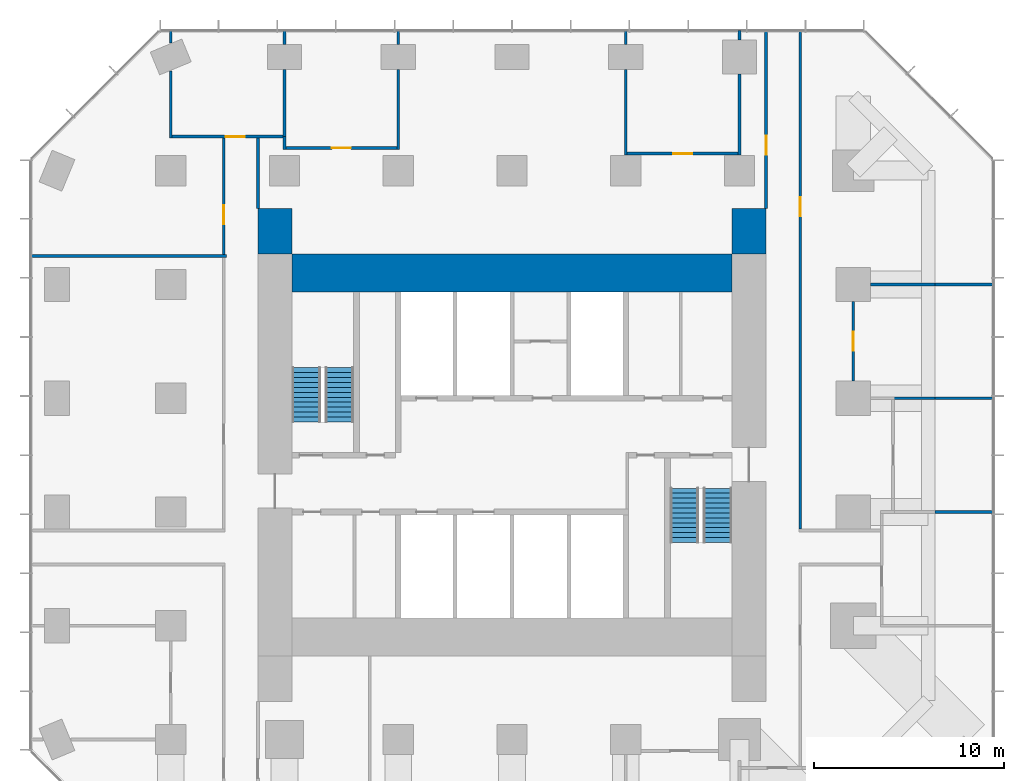
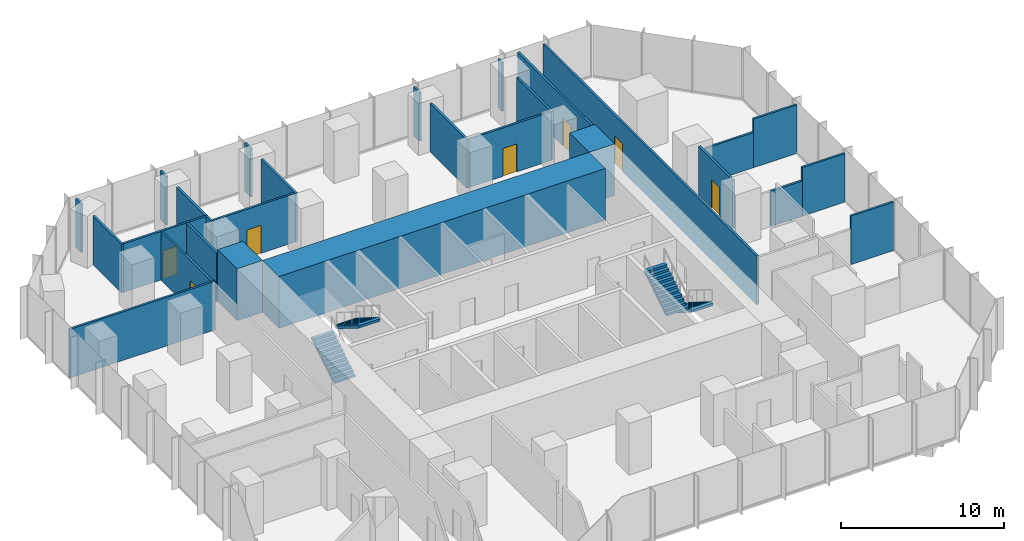
# One storey, part 10 of 11: 28 walls, 7 doors, 4 stair flights, 7 openings, 2 elements without a shape of their own.
"""IFC4 building model written with IfcOpenShell, lengths in metres."""

from ifc_helpers import new_model, si_unit, direction, frame, frame_2d, origin, place, context, subcontext, project, spatial, polyline, rectangle, outline, extrude, material, layer, layer_set, type_object, element, fill, aggregate, save


model = new_model("IFC4")

# Units and contexts
model_context = context("Model", 3, precision=1e-05, world=origin(), true_north=direction((0.0, 1.0)))
body_context = subcontext(model_context, "Body", "Model", "MODEL_VIEW")
ifc_project = project(units=[si_unit("LENGTHUNIT", "METRE"), si_unit("AREAUNIT", "SQUARE_METRE"), si_unit("VOLUMEUNIT", "CUBIC_METRE"), si_unit("PLANEANGLEUNIT", "RADIAN"), si_unit("MASSUNIT", "GRAM", prefix="KILO")], contexts=[model_context])

# Site, building, storey
site_placement = place(None, origin())
site = spatial("IfcSite", under=ifc_project, at=site_placement, CompositionType="ELEMENT")
building_placement = place(site_placement, origin())
building = spatial("IfcBuilding", under=site, at=building_placement, Name="Highveld Stack Headquarters", CompositionType="ELEMENT")
storey_placement = place(building_placement, frame((0.0, 0.0, 152.300048828125)))
storey = spatial("IfcBuildingStorey", under=building, at=storey_placement, Name="L37", CompositionType="ELEMENT", Elevation=152.300048828125)

# Walls
ifc_material_1 = material(Name="Concrete C60/75", Category="concrete")
ifc_layer_1 = layer(ifc_material_1, 2.0)
ifc_layer_set_1 = layer_set([ifc_layer_1], Name="Concrete C60/75")
wall_type_1 = type_object("IfcWallType", Name="CORE WALL 2000 C60/75", PredefinedType="SHEAR", material=ifc_layer_set_1)
wall_1_placement = place(storey_placement, frame((-5.60009765625, 12.60009765625, 0.0), z_axis=(0.0, 0.0, 1.0), x_axis=(1.0, 0.0, 0.0)))
element("IfcWall", 1, at=wall_1_placement, inside=storey, type_object=wall_type_1, Name="Core wall N L37", PredefinedType="SHEAR", context=body_context, shape_type="SweptSolid", body=[
    extrude(rectangle(XDim=23.2001953125, YDim=2.0, at=frame_2d((11.60009765625, 0.0))), origin(), (0.0, 0.0, 1.0), 3.89990234375),
])
ifc_material_2 = material(Name="Concrete C60/75", Category="concrete")
ifc_layer_2 = layer(ifc_material_2, 1.800048828125)
ifc_layer_set_2 = layer_set([ifc_layer_2], Name="Concrete C60/75")
wall_type_2 = type_object("IfcWallType", Name="CORE WING WALL 1800 C60/75", PredefinedType="SHEAR", material=ifc_layer_set_2)
for number, where, z_axis, x_axis, name in (
    (2, (-6.5, 13.60009765625, 0.0), (0.0, 0.0, 1.0), (0.0, 1.0, 0.0), "Core wing wall WN L37"),
    (3, (18.5, 13.60009765625, 0.0), (0.0, 0.0, 1.0), (0.0, 1.0, 0.0), "Core wing wall EN L37"),
):
    element("IfcWall", number, at=place(storey_placement, frame(where, z_axis=z_axis, x_axis=x_axis)), inside=storey, type_object=wall_type_2, Name=name, PredefinedType="SHEAR", context=body_context, shape_type="SweptSolid", body=[
        extrude(rectangle(XDim=2.39990234375, YDim=1.800048828125, at=frame_2d((1.199951171875, 0.0))), origin(), (0.0, 0.0, 1.0), 3.89990234375),
    ])

# Wall, opening, door
ifc_material_3 = material(Name="Laminated glass in aluminium frame", Category="aluminium")
ifc_layer_3 = layer(ifc_material_3, 0.14990234375)
ifc_layer_set_3 = layer_set([ifc_layer_3], Name="Laminated glass in aluminium frame")
wall_type_3 = type_object("IfcWallType", Name="GLAZED PARTITION 150", PredefinedType="PARTITIONING", material=ifc_layer_set_3)
wall_2_placement = place(storey_placement, frame((24.0, 6.89990234375, 0.0), z_axis=(0.0, 0.0, 1.0), x_axis=(0.0, 1.0, 0.0)))
wall_2 = element("IfcWall", 4, at=wall_2_placement, inside=storey, type_object=wall_type_3, Name="Glazed partition Meeting room L37", PredefinedType="PARTITIONING", context=body_context, shape_type="SweptSolid", body=[
    extrude(rectangle(XDim=4.2001953125, YDim=0.14990234375, at=frame_2d((2.10009765625, 0.0))), origin(), (0.0, 0.0, 1.0), 3.64990234375),
])
opening_1_placement = place(wall_2_placement, frame((1.60009765625, 0.0, 0.0)))
opening_1 = element("IfcOpeningElement", 5, at=opening_1_placement, cuts=wall_2, Name="Opening L37-18", PredefinedType="OPENING", context=body_context, shape_type="SweptSolid", body=[
    extrude(rectangle(XDim=1.0, YDim=2.10009765625, at=frame_2d((0.5, 1.050048828125))), frame((0.0, 0.0849609375, 0.0), z_axis=(0.0, -1.0, 0.0), x_axis=(1.0, 0.0, 0.0)), (0.0, 0.0, 1.0), 0.169921875),
])
ifc_material_4 = material(Name="Timber door, oiled ash", Category="wood")
door_type = type_object("IfcDoorType", Name="ROOM DOOR D6 1000x2100", OperationType="SINGLE_SWING_LEFT", PredefinedType="DOOR", material=ifc_material_4)
door_1_placement = place(opening_1_placement, origin())
door_1 = element("IfcDoor", 6, at=door_1_placement, inside=storey, type_object=door_type, Name="Meeting room door 1 L37", OperationType="SINGLE_SWING_LEFT", OverallHeight=2.10009765625, OverallWidth=1.0, PredefinedType="DOOR", context=body_context, shape_type="SweptSolid", body=[
    extrude(rectangle(XDim=1.0, YDim=2.10009765625, at=frame_2d((0.5, 1.050048828125))), frame((0.0, 0.02490234375, 0.0), z_axis=(0.0, -1.0, 0.0), x_axis=(1.0, 0.0, 0.0)), (0.0, 0.0, 1.0), 0.050048828125),
])
fill(opening_1, door_1)

# Walls
ifc_material_5 = material(Name="Gypsum plasterboard on steel studs", Category="steel")
ifc_layer_4 = layer(ifc_material_5, 0.14990234375)
ifc_layer_set_4 = layer_set([ifc_layer_4], Name="Gypsum plasterboard on steel studs")
wall_type_4 = type_object("IfcWallType", Name="PARTITION 150 PLASTERBOARD", PredefinedType="PARTITIONING", material=ifc_layer_set_4)
wall_3_placement = place(storey_placement, frame((28.31005859375, 0.0, 0.0), z_axis=(0.0, 0.0, 1.0), x_axis=(1.0, 0.0, 0.0)))
element("IfcWall", 7, at=wall_3_placement, inside=storey, type_object=wall_type_4, Name="Partition Focus room / Quiet room L37", PredefinedType="PARTITIONING", context=body_context, shape_type="SweptSolid", body=[
    extrude(rectangle(XDim=3.0400390625, YDim=0.14990234375, at=frame_2d((1.52001953125, 0.0))), origin(), (0.0, 0.0, 1.0), 3.64990234375),
])
wall_4_placement = place(storey_placement, frame((26.10009765625, 6.0, 0.0), z_axis=(0.0, 0.0, 1.0), x_axis=(1.0, 0.0, 0.0)))
element("IfcWall", 8, at=wall_4_placement, inside=storey, type_object=wall_type_4, Name="Partition Focus room / Meeting room L37", PredefinedType="PARTITIONING", context=body_context, shape_type="SweptSolid", body=[
    extrude(rectangle(XDim=2.2099609375, YDim=0.14990234375, at=frame_2d((1.10498046875, 0.0))), origin(), (0.0, 0.0, 1.0), 2.64990234375),
])
wall_5_placement = place(storey_placement, frame((28.31005859375, 6.0, 0.0), z_axis=(0.0, 0.0, 1.0), x_axis=(1.0, 0.0, 0.0)))
element("IfcWall", 9, at=wall_5_placement, inside=storey, type_object=wall_type_4, Name="Partition Focus room / Meeting room L37", PredefinedType="PARTITIONING", context=body_context, shape_type="SweptSolid", body=[
    extrude(rectangle(XDim=3.0400390625, YDim=0.14990234375, at=frame_2d((1.52001953125, 0.0))), origin(), (0.0, 0.0, 1.0), 3.64990234375),
])
wall_6_placement = place(storey_placement, frame((24.89990234375, 12.0, 0.0), z_axis=(0.0, 0.0, 1.0), x_axis=(1.0, 0.0, 0.0)))
element("IfcWall", 10, at=wall_6_placement, inside=storey, type_object=wall_type_4, Name="Partition Meeting room L37", PredefinedType="PARTITIONING", context=body_context, shape_type="SweptSolid", body=[
    extrude(rectangle(XDim=3.41015625, YDim=0.14990234375, at=frame_2d((1.705078125, 0.0))), origin(), (0.0, 0.0, 1.0), 2.64990234375),
])
wall_7_placement = place(storey_placement, frame((28.31005859375, 12.0, 0.0), z_axis=(0.0, 0.0, 1.0), x_axis=(1.0, 0.0, 0.0)))
element("IfcWall", 11, at=wall_7_placement, inside=storey, type_object=wall_type_4, Name="Partition Meeting room L37", PredefinedType="PARTITIONING", context=body_context, shape_type="SweptSolid", body=[
    extrude(rectangle(XDim=3.08984375, YDim=0.14990234375, at=frame_2d((1.544921875, 0.0))), origin(), (0.0, 0.0, 1.0), 3.64990234375),
])

# Wall, opening, door
wall_8_placement = place(storey_placement, frame((12.074951171875, 18.89990234375, 0.0), z_axis=(0.0, 0.0, 1.0), x_axis=(1.0, 0.0, 0.0)))
wall_8 = element("IfcWall", 12, at=wall_8_placement, inside=storey, type_object=wall_type_4, Name="Partition Interview room L37", PredefinedType="PARTITIONING", context=body_context, shape_type="SweptSolid", body=[
    extrude(rectangle(XDim=5.85009765625, YDim=0.14990234375, at=frame_2d((2.925048828125, 0.0))), origin(), (0.0, 0.0, 1.0), 3.64990234375),
])
opening_2_placement = place(wall_8_placement, frame((2.425048828125, 0.0, 0.0)))
opening_2 = element("IfcOpeningElement", 13, at=opening_2_placement, cuts=wall_8, Name="Opening L37-21", PredefinedType="OPENING", context=body_context, shape_type="SweptSolid", body=[
    extrude(rectangle(XDim=1.0, YDim=2.10009765625, at=frame_2d((0.5, 1.050048828125))), frame((0.0, 0.0849609375, 0.0), z_axis=(0.0, -1.0, 0.0), x_axis=(1.0, 0.0, 0.0)), (0.0, 0.0, 1.0), 0.169921875),
])
door_2_placement = place(opening_2_placement, origin())
door_2 = element("IfcDoor", 14, at=door_2_placement, inside=storey, type_object=door_type, Name="Interview room door 1 L37", OperationType="SINGLE_SWING_RIGHT", OverallHeight=2.10009765625, OverallWidth=1.0, PredefinedType="DOOR", context=body_context, shape_type="SweptSolid", body=[
    extrude(rectangle(XDim=1.0, YDim=2.10009765625, at=frame_2d((0.5, 1.050048828125))), frame((0.0, 0.02490234375, 0.0), z_axis=(0.0, -1.0, 0.0), x_axis=(1.0, 0.0, 0.0)), (0.0, 0.0, 1.0), 0.050048828125),
])
fill(opening_2, door_2)

wall_9_placement = place(storey_placement, frame((-5.925048828125, 19.199951171875, 0.0), z_axis=(0.0, 0.0, 1.0), x_axis=(1.0, 0.0, 0.0)))
wall_9 = element("IfcWall", 15, at=wall_9_placement, inside=storey, type_object=wall_type_4, Name="Partition Tea kitchen L37", PredefinedType="PARTITIONING", context=body_context, shape_type="SweptSolid", body=[
    extrude(rectangle(XDim=5.85009765625, YDim=0.14990234375, at=frame_2d((2.925048828125, 0.0))), origin(), (0.0, 0.0, 1.0), 3.64990234375),
])
opening_3_placement = place(wall_9_placement, frame((2.425048828125, 0.0, 0.0)))
opening_3 = element("IfcOpeningElement", 16, at=opening_3_placement, cuts=wall_9, Name="Opening L37-20", PredefinedType="OPENING", context=body_context, shape_type="SweptSolid", body=[
    extrude(rectangle(XDim=1.0, YDim=2.10009765625, at=frame_2d((0.5, 1.050048828125))), frame((0.0, 0.0849609375, 0.0), z_axis=(0.0, -1.0, 0.0), x_axis=(1.0, 0.0, 0.0)), (0.0, 0.0, 1.0), 0.169921875),
])
door_3_placement = place(opening_3_placement, origin())
door_3 = element("IfcDoor", 17, at=door_3_placement, inside=storey, type_object=door_type, Name="Tea kitchen door 1 L37", OperationType="SINGLE_SWING_LEFT", OverallHeight=2.10009765625, OverallWidth=1.0, PredefinedType="DOOR", context=body_context, shape_type="SweptSolid", body=[
    extrude(rectangle(XDim=1.0, YDim=2.10009765625, at=frame_2d((0.5, 1.050048828125))), frame((0.0, 0.02490234375, 0.0), z_axis=(0.0, -1.0, 0.0), x_axis=(1.0, 0.0, 0.0)), (0.0, 0.0, 1.0), 0.050048828125),
])
fill(opening_3, door_3)

wall_10_placement = place(storey_placement, frame((-11.925048828125, 19.800048828125, 0.0), z_axis=(0.0, 0.0, 1.0), x_axis=(1.0, 0.0, 0.0)))
wall_10 = element("IfcWall", 18, at=wall_10_placement, inside=storey, type_object=wall_type_4, Name="Partition Print room L37", PredefinedType="PARTITIONING", context=body_context, shape_type="SweptSolid", body=[
    extrude(rectangle(XDim=5.85009765625, YDim=0.14990234375, at=frame_2d((2.925048828125, 0.0))), origin(), (0.0, 0.0, 1.0), 3.64990234375),
])
opening_4_placement = place(wall_10_placement, frame((2.824951171875, 0.0, 0.0)))
opening_4 = element("IfcOpeningElement", 19, at=opening_4_placement, cuts=wall_10, Name="Opening L37-19", PredefinedType="OPENING", context=body_context, shape_type="SweptSolid", body=[
    extrude(rectangle(XDim=1.0, YDim=2.10009765625, at=frame_2d((0.5, 1.050048828125))), frame((0.0, 0.0849609375, 0.0), z_axis=(0.0, -1.0, 0.0), x_axis=(1.0, 0.0, 0.0)), (0.0, 0.0, 1.0), 0.169921875),
])
door_4_placement = place(opening_4_placement, origin())
door_4 = element("IfcDoor", 20, at=door_4_placement, inside=storey, type_object=door_type, Name="Print room door 1 L37", OperationType="SINGLE_SWING_RIGHT", OverallHeight=2.10009765625, OverallWidth=1.0, PredefinedType="DOOR", context=body_context, shape_type="SweptSolid", body=[
    extrude(rectangle(XDim=1.0, YDim=2.10009765625, at=frame_2d((0.5, 1.050048828125))), frame((0.0, 0.02490234375, 0.0), z_axis=(0.0, -1.0, 0.0), x_axis=(1.0, 0.0, 0.0)), (0.0, 0.0, 1.0), 0.050048828125),
])
fill(opening_4, door_4)

# Walls
wall_11_placement = place(storey_placement, frame((-12.0, 19.72509765625, 0.0), z_axis=(0.0, 0.0, 1.0), x_axis=(0.0, 1.0, 0.0)))
element("IfcWall", 21, at=wall_11_placement, inside=storey, type_object=wall_type_4, Name="Partition Print room L37", PredefinedType="PARTITIONING", context=body_context, shape_type="SweptSolid", body=[
    extrude(rectangle(XDim=3.540283203125, YDim=0.14990234375, at=frame_2d((1.77001953125, 0.0))), origin(), (0.0, 0.0, 1.0), 3.64990234375),
])
wall_12_placement = place(storey_placement, frame((-12.0, 24.734619140625, 0.0), z_axis=(0.0, 0.0, 1.0), x_axis=(0.0, 1.0, 0.0)))
element("IfcWall", 22, at=wall_12_placement, inside=storey, type_object=wall_type_4, Name="Partition Print room L37", PredefinedType="PARTITIONING", context=body_context, shape_type="SweptSolid", body=[
    extrude(rectangle(XDim=0.665283203125, YDim=0.14990234375, at=frame_2d((0.33251953125, 0.0))), origin(), (0.0, 0.0, 1.0), 3.64990234375),
])
wall_13_placement = place(storey_placement, frame((-6.0, 19.125, 0.0), z_axis=(0.0, 0.0, 1.0), x_axis=(0.0, 1.0, 0.0)))
element("IfcWall", 23, at=wall_13_placement, inside=storey, type_object=wall_type_4, Name="Partition Tea kitchen L37", PredefinedType="PARTITIONING", context=body_context, shape_type="SweptSolid", body=[
    extrude(rectangle(XDim=0.675048828125, YDim=0.14990234375, at=frame_2d((0.33740234375, 0.0))), origin(), (0.0, 0.0, 1.0), 3.64990234375),
])
wall_14_placement = place(storey_placement, frame((-6.0, 19.800048828125, 0.0), z_axis=(0.0, 0.0, 1.0), x_axis=(0.0, 1.0, 0.0)))
element("IfcWall", 24, at=wall_14_placement, inside=storey, type_object=wall_type_4, Name="Partition Print room / Tea kitchen L37", PredefinedType="PARTITIONING", context=body_context, shape_type="SweptSolid", body=[
    extrude(rectangle(XDim=3.550048828125, YDim=0.14990234375, at=frame_2d((1.77490234375, 0.0))), origin(), (0.0, 0.0, 1.0), 3.64990234375),
])
wall_15_placement = place(storey_placement, frame((-6.0, 24.64990234375, 0.0), z_axis=(0.0, 0.0, 1.0), x_axis=(0.0, 1.0, 0.0)))
element("IfcWall", 25, at=wall_15_placement, inside=storey, type_object=wall_type_4, Name="Partition Print room / Tea kitchen L37", PredefinedType="PARTITIONING", context=body_context, shape_type="SweptSolid", body=[
    extrude(rectangle(XDim=0.75, YDim=0.14990234375, at=frame_2d((0.375, 0.0))), origin(), (0.0, 0.0, 1.0), 3.64990234375),
])
wall_16_placement = place(storey_placement, frame((0.0, 19.125, 0.0), z_axis=(0.0, 0.0, 1.0), x_axis=(0.0, 1.0, 0.0)))
element("IfcWall", 26, at=wall_16_placement, inside=storey, type_object=wall_type_4, Name="Partition Tea kitchen L37", PredefinedType="PARTITIONING", context=body_context, shape_type="SweptSolid", body=[
    extrude(rectangle(XDim=4.22509765625, YDim=0.14990234375, at=frame_2d((2.112548828125, 0.0))), origin(), (0.0, 0.0, 1.0), 3.64990234375),
])
wall_17_placement = place(storey_placement, frame((0.0, 24.64990234375, 0.0), z_axis=(0.0, 0.0, 1.0), x_axis=(0.0, 1.0, 0.0)))
element("IfcWall", 27, at=wall_17_placement, inside=storey, type_object=wall_type_4, Name="Partition Tea kitchen L37", PredefinedType="PARTITIONING", context=body_context, shape_type="SweptSolid", body=[
    extrude(rectangle(XDim=0.75, YDim=0.14990234375, at=frame_2d((0.375, 0.0))), origin(), (0.0, 0.0, 1.0), 3.64990234375),
])
wall_18_placement = place(storey_placement, frame((12.0, 18.824951171875, 0.0), z_axis=(0.0, 0.0, 1.0), x_axis=(0.0, 1.0, 0.0)))
element("IfcWall", 28, at=wall_18_placement, inside=storey, type_object=wall_type_4, Name="Partition Interview room L37", PredefinedType="PARTITIONING", context=body_context, shape_type="SweptSolid", body=[
    extrude(rectangle(XDim=4.525146484375, YDim=0.14990234375, at=frame_2d((2.2626953125, 0.0))), origin(), (0.0, 0.0, 1.0), 3.64990234375),
])
wall_19_placement = place(storey_placement, frame((12.0, 24.64990234375, 0.0), z_axis=(0.0, 0.0, 1.0), x_axis=(0.0, 1.0, 0.0)))
element("IfcWall", 29, at=wall_19_placement, inside=storey, type_object=wall_type_4, Name="Partition Interview room L37", PredefinedType="PARTITIONING", context=body_context, shape_type="SweptSolid", body=[
    extrude(rectangle(XDim=0.75, YDim=0.14990234375, at=frame_2d((0.375, 0.0))), origin(), (0.0, 0.0, 1.0), 3.64990234375),
])
wall_20_placement = place(storey_placement, frame((18.0, 18.824951171875, 0.0), z_axis=(0.0, 0.0, 1.0), x_axis=(0.0, 1.0, 0.0)))
element("IfcWall", 30, at=wall_20_placement, inside=storey, type_object=wall_type_4, Name="Partition Interview room L37", PredefinedType="PARTITIONING", context=body_context, shape_type="SweptSolid", body=[
    extrude(rectangle(XDim=4.275146484375, YDim=0.14990234375, at=frame_2d((2.1376953125, 0.0))), origin(), (0.0, 0.0, 1.0), 3.64990234375),
])
wall_21_placement = place(storey_placement, frame((18.0, 24.89990234375, 0.0), z_axis=(0.0, 0.0, 1.0), x_axis=(0.0, 1.0, 0.0)))
element("IfcWall", 31, at=wall_21_placement, inside=storey, type_object=wall_type_4, Name="Partition Interview room L37", PredefinedType="PARTITIONING", context=body_context, shape_type="SweptSolid", body=[
    extrude(rectangle(XDim=0.5, YDim=0.14990234375, at=frame_2d((0.25, 0.0))), origin(), (0.0, 0.0, 1.0), 3.64990234375),
])
wall_22_placement = place(storey_placement, frame((-19.39990234375, 13.5, 0.0), z_axis=(0.0, 0.0, 1.0), x_axis=(1.0, 0.0, 0.0)))
element("IfcWall", 32, at=wall_22_placement, inside=storey, type_object=wall_type_4, Name="Partition office neighbourhood L37", PredefinedType="PARTITIONING", context=body_context, shape_type="SweptSolid", body=[
    extrude(rectangle(XDim=10.349853515625, YDim=0.14990234375, at=frame_2d((5.1748046875, 0.0))), origin(), (0.0, 0.0, 1.0), 3.64990234375),
])

# Wall, opening, door
wall_23_placement = place(storey_placement, frame((-9.199951171875, 13.574951171875, 0.0), z_axis=(0.0, 0.0, 1.0), x_axis=(0.0, 1.0, 0.0)))
wall_23 = element("IfcWall", 33, at=wall_23_placement, inside=storey, type_object=wall_type_4, Name="Partition office neighbourhood L37", PredefinedType="PARTITIONING", context=body_context, shape_type="SweptSolid", body=[
    extrude(rectangle(XDim=6.150146484375, YDim=0.14990234375, at=frame_2d((3.0751953125, 0.0))), origin(), (0.0, 0.0, 1.0), 3.64990234375),
])
opening_5_placement = place(wall_23_placement, frame((1.60400390625, 0.0, 0.0)))
opening_5 = element("IfcOpeningElement", 34, at=opening_5_placement, cuts=wall_23, Name="Opening L37-27", PredefinedType="OPENING", context=body_context, shape_type="SweptSolid", body=[
    extrude(rectangle(XDim=1.0, YDim=2.10009765625, at=frame_2d((0.5, 1.050048828125))), frame((0.0, 0.0849609375, 0.0), z_axis=(0.0, -1.0, 0.0), x_axis=(1.0, 0.0, 0.0)), (0.0, 0.0, 1.0), 0.169921875),
])
door_5_placement = place(opening_5_placement, origin())
door_5 = element("IfcDoor", 35, at=door_5_placement, inside=storey, type_object=door_type, Name="Office neighbourhood door L37", OperationType="SINGLE_SWING_LEFT", OverallHeight=2.10009765625, OverallWidth=1.0, PredefinedType="DOOR", context=body_context, shape_type="SweptSolid", body=[
    extrude(rectangle(XDim=1.0, YDim=2.10009765625, at=frame_2d((0.5, 1.050048828125))), frame((0.0, 0.02490234375, 0.0), z_axis=(0.0, -1.0, 0.0), x_axis=(1.0, 0.0, 0.0)), (0.0, 0.0, 1.0), 0.050048828125),
])
fill(opening_5, door_5)

# Wall
wall_24_placement = place(storey_placement, frame((-7.39990234375, 16.0, 0.0), z_axis=(0.0, 0.0, 1.0), x_axis=(0.0, 1.0, 0.0)))
element("IfcWall", 36, at=wall_24_placement, inside=storey, type_object=wall_type_4, Name="Partition office neighbourhood L37", PredefinedType="PARTITIONING", context=body_context, shape_type="SweptSolid", body=[
    extrude(rectangle(XDim=3.72509765625, YDim=0.14990234375, at=frame_2d((1.862548828125, 0.0))), origin(), (0.0, 0.0, 1.0), 3.64990234375),
])

# Wall, opening, door
wall_25_placement = place(storey_placement, frame((19.39990234375, 16.0, 0.0), z_axis=(0.0, 0.0, 1.0), x_axis=(0.0, 1.0, 0.0)))
wall_25 = element("IfcWall", 37, at=wall_25_placement, inside=storey, type_object=wall_type_4, Name="Partition office neighbourhood L37", PredefinedType="PARTITIONING", context=body_context, shape_type="SweptSolid", body=[
    extrude(rectangle(XDim=9.39990234375, YDim=0.14990234375, at=frame_2d((4.699951171875, 0.0))), origin(), (0.0, 0.0, 1.0), 3.64990234375),
])
opening_6_placement = place(wall_25_placement, frame((2.85009765625, 0.0, 0.0)))
opening_6 = element("IfcOpeningElement", 38, at=opening_6_placement, cuts=wall_25, Name="Opening L37-28", PredefinedType="OPENING", context=body_context, shape_type="SweptSolid", body=[
    extrude(rectangle(XDim=1.0, YDim=2.10009765625, at=frame_2d((0.5, 1.050048828125))), frame((0.0, 0.0849609375, 0.0), z_axis=(0.0, -1.0, 0.0), x_axis=(1.0, 0.0, 0.0)), (0.0, 0.0, 1.0), 0.169921875),
])
door_6_placement = place(opening_6_placement, origin())
door_6 = element("IfcDoor", 39, at=door_6_placement, inside=storey, type_object=door_type, Name="Office neighbourhood door L37", OperationType="SINGLE_SWING_LEFT", OverallHeight=2.10009765625, OverallWidth=1.0, PredefinedType="DOOR", context=body_context, shape_type="SweptSolid", body=[
    extrude(rectangle(XDim=1.0, YDim=2.10009765625, at=frame_2d((0.5, 1.050048828125))), frame((0.0, 0.02490234375, 0.0), z_axis=(0.0, -1.0, 0.0), x_axis=(1.0, 0.0, 0.0)), (0.0, 0.0, 1.0), 0.050048828125),
])
fill(opening_6, door_6)

wall_26_placement = place(storey_placement, frame((21.199951171875, -0.89990234375, 0.0), z_axis=(0.0, 0.0, 1.0), x_axis=(0.0, 1.0, 0.0)))
wall_26 = element("IfcWall", 40, at=wall_26_placement, inside=storey, type_object=wall_type_4, Name="Partition office neighbourhood L37", PredefinedType="PARTITIONING", context=body_context, shape_type="SweptSolid", body=[
    extrude(rectangle(XDim=26.2998046875, YDim=0.14990234375, at=frame_2d((13.14990234375, 0.0))), origin(), (0.0, 0.0, 1.0), 3.64990234375),
])
opening_7_placement = place(wall_26_placement, frame((16.50390625, 0.0, 0.0)))
opening_7 = element("IfcOpeningElement", 41, at=opening_7_placement, cuts=wall_26, Name="Opening L37-26", PredefinedType="OPENING", context=body_context, shape_type="SweptSolid", body=[
    extrude(rectangle(XDim=1.0, YDim=2.10009765625, at=frame_2d((0.5, 1.050048828125))), frame((0.0, 0.0849609375, 0.0), z_axis=(0.0, -1.0, 0.0), x_axis=(1.0, 0.0, 0.0)), (0.0, 0.0, 1.0), 0.169921875),
])
door_7_placement = place(opening_7_placement, origin())
door_7 = element("IfcDoor", 42, at=door_7_placement, inside=storey, type_object=door_type, Name="Office neighbourhood door L37", OperationType="SINGLE_SWING_RIGHT", OverallHeight=2.10009765625, OverallWidth=1.0, PredefinedType="DOOR", context=body_context, shape_type="SweptSolid", body=[
    extrude(rectangle(XDim=1.0, YDim=2.10009765625, at=frame_2d((0.5, 1.050048828125))), frame((0.0, 0.02490234375, 0.0), z_axis=(0.0, -1.0, 0.0), x_axis=(1.0, 0.0, 0.0)), (0.0, 0.0, 1.0), 0.050048828125),
])
fill(opening_7, door_7)

# Stair, stair flights
ifc_material_6 = material(Name="Concrete C40/50, precast", Category="concrete")
stair_type_1 = type_object("IfcStairType", Name="STAIR S1 HALF TURN 1500", PredefinedType="HALF_TURN_STAIR", material=ifc_material_6)
stair_1_placement = place(storey_placement, origin())
stair_1 = element("IfcStair", 43, at=stair_1_placement, inside=storey, type_object=stair_type_1, Name="Stair S1 L37", PredefinedType="HALF_TURN_STAIR")
ifc_material_7 = material(Name="Concrete C40/50, precast", Category="concrete")
stair_flight_type = type_object("IfcStairFlightType", Name="STAIR FLIGHT 1500 PRECAST", PredefinedType="STRAIGHT", material=ifc_material_7)
stair_flight_1_placement = place(storey_placement, frame((-4.85009765625, 4.75, 0.0), z_axis=(0.0, 0.0, 1.0), x_axis=(0.0, 1.0, 0.0)))
stair_flight_1 = element("IfcStairFlight", 44, at=stair_flight_1_placement, type_object=stair_flight_type, Name="S1 flight 1", NumberOfRisers=12, NumberOfTreads=11, PredefinedType="STRAIGHT", RiserHeight=0.1625, TreadLength=0.26, context=body_context, shape_type="SweptSolid", body=[
    extrude(outline(polyline([(0.0, 0.0), (0.0, 0.16259765625), (0.260009765625, 0.16259765625), (0.260009765625, 0.324951171875), (0.52001953125, 0.324951171875), (0.52001953125, 0.487548828125), (0.780029296875, 0.487548828125), (0.780029296875, 0.64990234375), (1.0400390625, 0.64990234375), (1.0400390625, 0.8125), (1.300048828125, 0.8125), (1.300048828125, 0.97509765625), (1.56005859375, 0.97509765625), (1.56005859375, 1.137451171875), (1.820068359375, 1.137451171875), (1.820068359375, 1.300048828125), (2.080078125, 1.300048828125), (2.080078125, 1.46240234375), (2.340087890625, 1.46240234375), (2.340087890625, 1.625), (2.60009765625, 1.625), (2.60009765625, 1.78759765625), (2.860107421875, 1.78759765625), (2.860107421875, 1.949951171875), (2.860107421875, 1.61083984375), (0.28271484375, 0.0), (0.0, 0.0)])), frame((0.0, 0.75, 0.0), z_axis=(0.0, -1.0, 0.0), x_axis=(1.0, 0.0, 0.0)), (0.0, 0.0, 1.0), 1.5),
])
stair_flight_2_placement = place(storey_placement, frame((-3.10009765625, 7.610107421875, 1.949951171875), z_axis=(0.0, 0.0, 1.0), x_axis=(0.0, -1.0, 0.0)))
stair_flight_2 = element("IfcStairFlight", 45, at=stair_flight_2_placement, type_object=stair_flight_type, Name="S1 flight 2", NumberOfRisers=12, NumberOfTreads=11, PredefinedType="STRAIGHT", RiserHeight=0.1625, TreadLength=0.26, context=body_context, shape_type="SweptSolid", body=[
    extrude(outline(polyline([(0.0, 0.0), (0.0, 0.16259765625), (0.260009765625, 0.16259765625), (0.260009765625, 0.324951171875), (0.52001953125, 0.324951171875), (0.52001953125, 0.487548828125), (0.780029296875, 0.487548828125), (0.780029296875, 0.64990234375), (1.0400390625, 0.64990234375), (1.0400390625, 0.8125), (1.300048828125, 0.8125), (1.300048828125, 0.97509765625), (1.56005859375, 0.97509765625), (1.56005859375, 1.137451171875), (1.820068359375, 1.137451171875), (1.820068359375, 1.300048828125), (2.080078125, 1.300048828125), (2.080078125, 1.46240234375), (2.340087890625, 1.46240234375), (2.340087890625, 1.625), (2.60009765625, 1.625), (2.60009765625, 1.78759765625), (2.860107421875, 1.78759765625), (2.860107421875, 1.949951171875), (2.860107421875, 1.61083984375), (0.28271484375, 0.0), (0.0, 0.0)])), frame((0.0, 0.75, 0.0), z_axis=(0.0, -1.0, 0.0), x_axis=(1.0, 0.0, 0.0)), (0.0, 0.0, 1.0), 1.5),
])
aggregate(stair_1, [stair_flight_1, stair_flight_2])

ifc_material_8 = material(Name="Concrete C40/50, precast", Category="concrete")
stair_type_2 = type_object("IfcStairType", Name="STAIR S2 HALF TURN 1500", PredefinedType="HALF_TURN_STAIR", material=ifc_material_8)
stair_2_placement = place(storey_placement, origin())
stair_2 = element("IfcStair", 46, at=stair_2_placement, inside=storey, type_object=stair_type_2, Name="Stair S2 L37", PredefinedType="HALF_TURN_STAIR")
stair_flight_3_placement = place(storey_placement, frame((16.85009765625, 1.25, 0.0), z_axis=(0.0, 0.0, 1.0), x_axis=(0.0, -1.0, 0.0)))
stair_flight_3 = element("IfcStairFlight", 47, at=stair_flight_3_placement, type_object=stair_flight_type, Name="S2 flight 1", NumberOfRisers=12, NumberOfTreads=11, PredefinedType="STRAIGHT", RiserHeight=0.1625, TreadLength=0.26, context=body_context, shape_type="SweptSolid", body=[
    extrude(outline(polyline([(0.0, 0.0), (0.0, 0.16259765625), (0.260009765625, 0.16259765625), (0.260009765625, 0.324951171875), (0.52001953125, 0.324951171875), (0.52001953125, 0.487548828125), (0.780029296875, 0.487548828125), (0.780029296875, 0.64990234375), (1.0400390625, 0.64990234375), (1.0400390625, 0.8125), (1.300048828125, 0.8125), (1.300048828125, 0.97509765625), (1.56005859375, 0.97509765625), (1.56005859375, 1.137451171875), (1.820068359375, 1.137451171875), (1.820068359375, 1.300048828125), (2.080078125, 1.300048828125), (2.080078125, 1.46240234375), (2.340087890625, 1.46240234375), (2.340087890625, 1.625), (2.60009765625, 1.625), (2.60009765625, 1.78759765625), (2.860107421875, 1.78759765625), (2.860107421875, 1.949951171875), (2.860107421875, 1.61083984375), (0.28271484375, 0.0), (0.0, 0.0)])), frame((0.0, 0.75, 0.0), z_axis=(0.0, -1.0, 0.0), x_axis=(1.0, 0.0, 0.0)), (0.0, 0.0, 1.0), 1.5),
])
stair_flight_4_placement = place(storey_placement, frame((15.10009765625, -1.610107421875, 1.949951171875), z_axis=(0.0, 0.0, 1.0), x_axis=(0.0, 1.0, 0.0)))
stair_flight_4 = element("IfcStairFlight", 48, at=stair_flight_4_placement, type_object=stair_flight_type, Name="S2 flight 2", NumberOfRisers=12, NumberOfTreads=11, PredefinedType="STRAIGHT", RiserHeight=0.1625, TreadLength=0.26, context=body_context, shape_type="SweptSolid", body=[
    extrude(outline(polyline([(0.0, 0.0), (0.0, 0.16259765625), (0.260009765625, 0.16259765625), (0.260009765625, 0.324951171875), (0.52001953125, 0.324951171875), (0.52001953125, 0.487548828125), (0.780029296875, 0.487548828125), (0.780029296875, 0.64990234375), (1.0400390625, 0.64990234375), (1.0400390625, 0.8125), (1.300048828125, 0.8125), (1.300048828125, 0.97509765625), (1.56005859375, 0.97509765625), (1.56005859375, 1.137451171875), (1.820068359375, 1.137451171875), (1.820068359375, 1.300048828125), (2.080078125, 1.300048828125), (2.080078125, 1.46240234375), (2.340087890625, 1.46240234375), (2.340087890625, 1.625), (2.60009765625, 1.625), (2.60009765625, 1.78759765625), (2.860107421875, 1.78759765625), (2.860107421875, 1.949951171875), (2.860107421875, 1.61083984375), (0.28271484375, 0.0), (0.0, 0.0)])), frame((0.0, 0.75, 0.0), z_axis=(0.0, -1.0, 0.0), x_axis=(1.0, 0.0, 0.0)), (0.0, 0.0, 1.0), 1.5),
])
aggregate(stair_2, [stair_flight_3, stair_flight_4])

save(model, "model.ifc")
